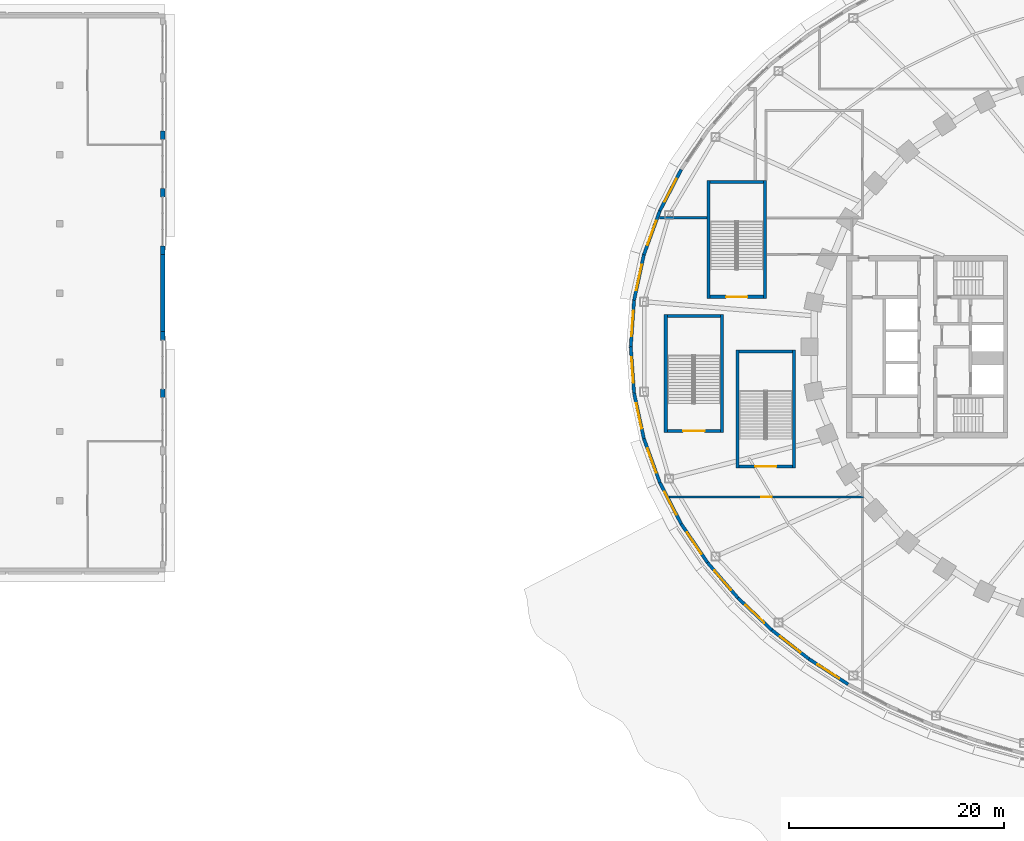
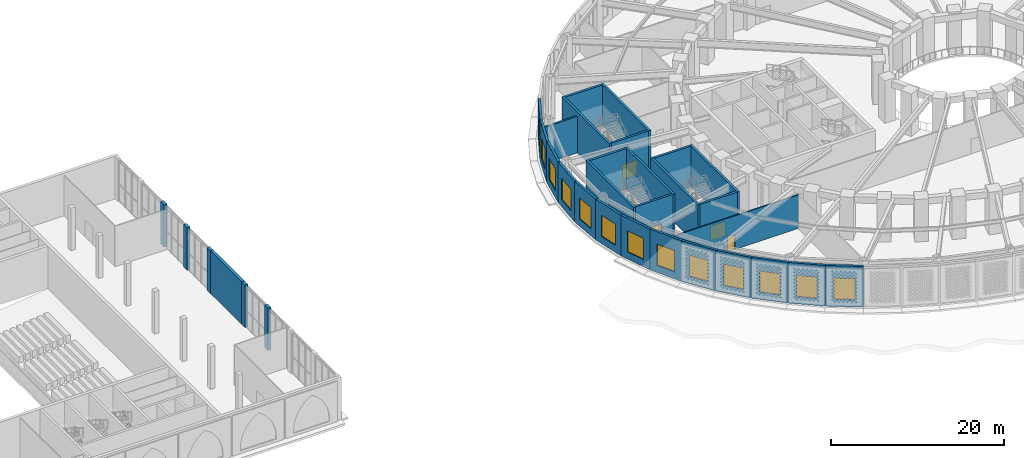
# One storey, part 19 of 74: 33 walls, 13 windows, 4 doors, 17 openings.
"""IFC4 building model written with IfcOpenShell, lengths in metres."""

from ifc_helpers import new_model, si_unit, direction, frame, frame_2d, origin, place, context, subcontext, project, spatial, rectangle, extrude, material, layer, layer_set, type_object, element, fill, save


model = new_model("IFC4")

# Units and contexts
model_context = context("Model", 3, precision=1e-05, world=origin(), true_north=direction((0.0, 1.0)))
body_context = subcontext(model_context, "Body", "Model", "MODEL_VIEW")
ifc_project = project(units=[si_unit("LENGTHUNIT", "METRE"), si_unit("AREAUNIT", "SQUARE_METRE"), si_unit("VOLUMEUNIT", "CUBIC_METRE"), si_unit("PLANEANGLEUNIT", "RADIAN"), si_unit("MASSUNIT", "GRAM", prefix="KILO")], contexts=[model_context])

# Site, building, storey
site_placement = place(None, origin())
site = spatial("IfcSite", under=ifc_project, at=site_placement, CompositionType="ELEMENT")
building_placement = place(site_placement, origin())
building = spatial("IfcBuilding", under=site, at=building_placement, Name="Noorbagh Ring Tower", CompositionType="ELEMENT")
storey_placement = place(building_placement, frame((0.0, 0.0, 7.5)))
storey = spatial("IfcBuildingStorey", under=building, at=storey_placement, Name="L01", CompositionType="ELEMENT", Elevation=7.5)

# Wall, opening, window
ifc_material_1 = material(Name="Blockwork faced with red sandstone", Category="masonry")
ifc_layer_1 = layer(ifc_material_1, 0.300048828125)
ifc_layer_set_1 = layer_set([ifc_layer_1], Name="Blockwork faced with red sandstone")
wall_type_1 = type_object("IfcWallType", Name="GND-ENV-WALL", PredefinedType="SOLIDWALL", material=ifc_layer_set_1)
wall_1_placement = place(storey_placement, frame((-46.89892578125, 16.50830078125, 0.0), z_axis=(0.0, 0.0, 1.0), x_axis=(-0.459242531468, -0.888310923771, 0.0)))
wall_1 = element("IfcWall", 1, at=wall_1_placement, inside=storey, type_object=wall_type_1, Name="Podium wall", PredefinedType="SOLIDWALL", context=body_context, shape_type="SweptSolid", body=[
    extrude(rectangle(XDim=4.344970703125, YDim=0.300048828125, at=frame_2d((2.17236328125, 0.0))), origin(), (0.0, 0.0, 1.0), 5.75),
])
opening_1_placement = place(wall_1_placement, frame((0.972412109375, 0.0, 1.0)))
opening_1 = element("IfcOpeningElement", 2, at=opening_1_placement, cuts=wall_1, Name="Opening GWN1", PredefinedType="OPENING", context=body_context, shape_type="SweptSolid", body=[
    extrude(rectangle(XDim=2.39990234375, YDim=3.0, at=frame_2d((1.199951171875, 1.5))), frame((0.0, 0.16015625, 0.0), z_axis=(0.0, -1.0, 0.0), x_axis=(1.0, 0.0, 0.0)), (0.0, 0.0, 1.0), 0.320068359375),
])
ifc_material_2 = material(Name="Aluminium and glass", Category="aluminium")
window_type = type_object("IfcWindowType", Name="GND-ENV-WINDOW", PartitioningType="SINGLE_PANEL", PredefinedType="WINDOW", material=ifc_material_2)
window_1_placement = place(opening_1_placement, origin())
window_1 = element("IfcWindow", 3, at=window_1_placement, inside=storey, type_object=window_type, Name="L01 podium window", OverallHeight=3.0, OverallWidth=2.39990234375, PartitioningType="SINGLE_PANEL", PredefinedType="WINDOW", context=body_context, shape_type="SweptSolid", body=[
    extrude(rectangle(XDim=2.39990234375, YDim=3.0, at=frame_2d((1.199951171875, 1.5))), frame((0.0, 0.030029296875, 0.0), z_axis=(0.0, -1.0, 0.0), x_axis=(1.0, 0.0, 0.0)), (0.0, 0.0, 1.0), 0.06005859375),
])
fill(opening_1, window_1)

wall_2_placement = place(storey_placement, frame((-48.894287109375, 12.648681640625, 0.0), z_axis=(0.0, 0.0, 1.0), x_axis=(-0.341286990045, -0.939959142956, 0.0)))
wall_2 = element("IfcWall", 4, at=wall_2_placement, inside=storey, type_object=wall_type_1, Name="Podium wall", PredefinedType="SOLIDWALL", context=body_context, shape_type="SweptSolid", body=[
    extrude(rectangle(XDim=4.341552734375, YDim=0.300048828125, at=frame_2d((2.1708984375, 0.0))), origin(), (0.0, 0.0, 1.0), 5.75),
])
opening_2_placement = place(wall_2_placement, frame((0.970703125, 0.0, 1.0)))
opening_2 = element("IfcOpeningElement", 5, at=opening_2_placement, cuts=wall_2, Name="Opening GWN1", PredefinedType="OPENING", context=body_context, shape_type="SweptSolid", body=[
    extrude(rectangle(XDim=2.39990234375, YDim=3.0, at=frame_2d((1.199951171875, 1.5))), frame((0.0, 0.16015625, 0.0), z_axis=(0.0, -1.0, 0.0), x_axis=(1.0, 0.0, 0.0)), (0.0, 0.0, 1.0), 0.320068359375),
])
window_2_placement = place(opening_2_placement, origin())
window_2 = element("IfcWindow", 6, at=window_2_placement, inside=storey, type_object=window_type, Name="L01 podium window", OverallHeight=3.0, OverallWidth=2.39990234375, PartitioningType="SINGLE_PANEL", PredefinedType="WINDOW", context=body_context, shape_type="SweptSolid", body=[
    extrude(rectangle(XDim=2.39990234375, YDim=3.0, at=frame_2d((1.199951171875, 1.5))), frame((0.0, 0.030029296875, 0.0), z_axis=(0.0, -1.0, 0.0), x_axis=(1.0, 0.0, 0.0)), (0.0, 0.0, 1.0), 0.06005859375),
])
fill(opening_2, window_2)

wall_3_placement = place(storey_placement, frame((-50.3759765625, 8.56787109375, 0.0), z_axis=(0.0, 0.0, 1.0), x_axis=(-0.210616468766, -0.977568771537, 0.0)))
wall_3 = element("IfcWall", 7, at=wall_3_placement, inside=storey, type_object=wall_type_1, Name="Podium wall", PredefinedType="SOLIDWALL", context=body_context, shape_type="SweptSolid", body=[
    extrude(rectangle(XDim=4.3388671875, YDim=0.300048828125, at=frame_2d((2.16943359375, 0.0))), origin(), (0.0, 0.0, 1.0), 5.75),
])
opening_3_placement = place(wall_3_placement, frame((0.969482421875, 0.0, 1.0)))
opening_3 = element("IfcOpeningElement", 8, at=opening_3_placement, cuts=wall_3, Name="Opening GWN1", PredefinedType="OPENING", context=body_context, shape_type="SweptSolid", body=[
    extrude(rectangle(XDim=2.39990234375, YDim=3.0, at=frame_2d((1.199951171875, 1.5))), frame((0.0, 0.16015625, 0.0), z_axis=(0.0, -1.0, 0.0), x_axis=(1.0, 0.0, 0.0)), (0.0, 0.0, 1.0), 0.320068359375),
])
window_3_placement = place(opening_3_placement, origin())
window_3 = element("IfcWindow", 9, at=window_3_placement, inside=storey, type_object=window_type, Name="L01 podium window", OverallHeight=3.0, OverallWidth=2.39990234375, PartitioningType="SINGLE_PANEL", PredefinedType="WINDOW", context=body_context, shape_type="SweptSolid", body=[
    extrude(rectangle(XDim=2.39990234375, YDim=3.0, at=frame_2d((1.199951171875, 1.5))), frame((0.0, 0.030029296875, 0.0), z_axis=(0.0, -1.0, 0.0), x_axis=(1.0, 0.0, 0.0)), (0.0, 0.0, 1.0), 0.06005859375),
])
fill(opening_3, window_3)

wall_4_placement = place(storey_placement, frame((-51.289794921875, 4.326416015625, 0.0), z_axis=(0.0, 0.0, 1.0), x_axis=(-0.071315050824, -0.997453840298, 0.0)))
wall_4 = element("IfcWall", 10, at=wall_4_placement, inside=storey, type_object=wall_type_1, Name="Podium wall", PredefinedType="SOLIDWALL", context=body_context, shape_type="SweptSolid", body=[
    extrude(rectangle(XDim=4.33740234375, YDim=0.300048828125, at=frame_2d((2.168701171875, 0.0))), origin(), (0.0, 0.0, 1.0), 5.75),
])
opening_4_placement = place(wall_4_placement, frame((0.96875, 0.0, 1.0)))
opening_4 = element("IfcOpeningElement", 11, at=opening_4_placement, cuts=wall_4, Name="Opening GWN1", PredefinedType="OPENING", context=body_context, shape_type="SweptSolid", body=[
    extrude(rectangle(XDim=2.39990234375, YDim=3.0, at=frame_2d((1.199951171875, 1.5))), frame((0.0, 0.16015625, 0.0), z_axis=(0.0, -1.0, 0.0), x_axis=(1.0, 0.0, 0.0)), (0.0, 0.0, 1.0), 0.320068359375),
])
window_4_placement = place(opening_4_placement, origin())
window_4 = element("IfcWindow", 12, at=window_4_placement, inside=storey, type_object=window_type, Name="L01 podium window", OverallHeight=3.0, OverallWidth=2.39990234375, PartitioningType="SINGLE_PANEL", PredefinedType="WINDOW", context=body_context, shape_type="SweptSolid", body=[
    extrude(rectangle(XDim=2.39990234375, YDim=3.0, at=frame_2d((1.199951171875, 1.5))), frame((0.0, 0.030029296875, 0.0), z_axis=(0.0, -1.0, 0.0), x_axis=(1.0, 0.0, 0.0)), (0.0, 0.0, 1.0), 0.06005859375),
])
fill(opening_4, window_4)

wall_5_placement = place(storey_placement, frame((-51.59912109375, 0.0, 0.0), z_axis=(0.0, 0.0, 1.0), x_axis=(0.071315050824, -0.997453840298, 0.0)))
wall_5 = element("IfcWall", 13, at=wall_5_placement, inside=storey, type_object=wall_type_1, Name="Podium wall", PredefinedType="SOLIDWALL", context=body_context, shape_type="SweptSolid", body=[
    extrude(rectangle(XDim=4.33740234375, YDim=0.300048828125, at=frame_2d((2.168701171875, 0.0))), origin(), (0.0, 0.0, 1.0), 5.75),
])
opening_5_placement = place(wall_5_placement, frame((0.96875, 0.0, 1.0)))
opening_5 = element("IfcOpeningElement", 14, at=opening_5_placement, cuts=wall_5, Name="Opening GWN1", PredefinedType="OPENING", context=body_context, shape_type="SweptSolid", body=[
    extrude(rectangle(XDim=2.39990234375, YDim=3.0, at=frame_2d((1.199951171875, 1.5))), frame((0.0, 0.16015625, 0.0), z_axis=(0.0, -1.0, 0.0), x_axis=(1.0, 0.0, 0.0)), (0.0, 0.0, 1.0), 0.320068359375),
])
window_5_placement = place(opening_5_placement, origin())
window_5 = element("IfcWindow", 15, at=window_5_placement, inside=storey, type_object=window_type, Name="L01 podium window", OverallHeight=3.0, OverallWidth=2.39990234375, PartitioningType="SINGLE_PANEL", PredefinedType="WINDOW", context=body_context, shape_type="SweptSolid", body=[
    extrude(rectangle(XDim=2.39990234375, YDim=3.0, at=frame_2d((1.199951171875, 1.5))), frame((0.0, 0.030029296875, 0.0), z_axis=(0.0, -1.0, 0.0), x_axis=(1.0, 0.0, 0.0)), (0.0, 0.0, 1.0), 0.06005859375),
])
fill(opening_5, window_5)

wall_6_placement = place(storey_placement, frame((-51.289794921875, -4.326416015625, 0.0), z_axis=(0.0, 0.0, 1.0), x_axis=(0.210616468766, -0.977568771537, 0.0)))
wall_6 = element("IfcWall", 16, at=wall_6_placement, inside=storey, type_object=wall_type_1, Name="Podium wall", PredefinedType="SOLIDWALL", context=body_context, shape_type="SweptSolid", body=[
    extrude(rectangle(XDim=4.3388671875, YDim=0.300048828125, at=frame_2d((2.16943359375, 0.0))), origin(), (0.0, 0.0, 1.0), 5.75),
])
opening_6_placement = place(wall_6_placement, frame((0.969482421875, 0.0, 1.0)))
opening_6 = element("IfcOpeningElement", 17, at=opening_6_placement, cuts=wall_6, Name="Opening GWN1", PredefinedType="OPENING", context=body_context, shape_type="SweptSolid", body=[
    extrude(rectangle(XDim=2.39990234375, YDim=3.0, at=frame_2d((1.199951171875, 1.5))), frame((0.0, 0.16015625, 0.0), z_axis=(0.0, -1.0, 0.0), x_axis=(1.0, 0.0, 0.0)), (0.0, 0.0, 1.0), 0.320068359375),
])
window_6_placement = place(opening_6_placement, origin())
window_6 = element("IfcWindow", 18, at=window_6_placement, inside=storey, type_object=window_type, Name="L01 podium window", OverallHeight=3.0, OverallWidth=2.39990234375, PartitioningType="SINGLE_PANEL", PredefinedType="WINDOW", context=body_context, shape_type="SweptSolid", body=[
    extrude(rectangle(XDim=2.39990234375, YDim=3.0, at=frame_2d((1.199951171875, 1.5))), frame((0.0, 0.030029296875, 0.0), z_axis=(0.0, -1.0, 0.0), x_axis=(1.0, 0.0, 0.0)), (0.0, 0.0, 1.0), 0.06005859375),
])
fill(opening_6, window_6)

wall_7_placement = place(storey_placement, frame((-50.3759765625, -8.56787109375, 0.0), z_axis=(0.0, 0.0, 1.0), x_axis=(0.341286990045, -0.939959142956, 0.0)))
wall_7 = element("IfcWall", 19, at=wall_7_placement, inside=storey, type_object=wall_type_1, Name="Podium wall", PredefinedType="SOLIDWALL", context=body_context, shape_type="SweptSolid", body=[
    extrude(rectangle(XDim=4.341552734375, YDim=0.300048828125, at=frame_2d((2.1708984375, 0.0))), origin(), (0.0, 0.0, 1.0), 5.75),
])
opening_7_placement = place(wall_7_placement, frame((0.970703125, 0.0, 1.0)))
opening_7 = element("IfcOpeningElement", 20, at=opening_7_placement, cuts=wall_7, Name="Opening GWN1", PredefinedType="OPENING", context=body_context, shape_type="SweptSolid", body=[
    extrude(rectangle(XDim=2.39990234375, YDim=3.0, at=frame_2d((1.199951171875, 1.5))), frame((0.0, 0.16015625, 0.0), z_axis=(0.0, -1.0, 0.0), x_axis=(1.0, 0.0, 0.0)), (0.0, 0.0, 1.0), 0.320068359375),
])
window_7_placement = place(opening_7_placement, origin())
window_7 = element("IfcWindow", 21, at=window_7_placement, inside=storey, type_object=window_type, Name="L01 podium window", OverallHeight=3.0, OverallWidth=2.39990234375, PartitioningType="SINGLE_PANEL", PredefinedType="WINDOW", context=body_context, shape_type="SweptSolid", body=[
    extrude(rectangle(XDim=2.39990234375, YDim=3.0, at=frame_2d((1.199951171875, 1.5))), frame((0.0, 0.030029296875, 0.0), z_axis=(0.0, -1.0, 0.0), x_axis=(1.0, 0.0, 0.0)), (0.0, 0.0, 1.0), 0.06005859375),
])
fill(opening_7, window_7)

wall_8_placement = place(storey_placement, frame((-48.894287109375, -12.648681640625, 0.0), z_axis=(0.0, 0.0, 1.0), x_axis=(0.459242531468, -0.888310923771, 0.0)))
wall_8 = element("IfcWall", 22, at=wall_8_placement, inside=storey, type_object=wall_type_1, Name="Podium wall", PredefinedType="SOLIDWALL", context=body_context, shape_type="SweptSolid", body=[
    extrude(rectangle(XDim=4.344970703125, YDim=0.300048828125, at=frame_2d((2.17236328125, 0.0))), origin(), (0.0, 0.0, 1.0), 5.75),
])
opening_8_placement = place(wall_8_placement, frame((0.972412109375, 0.0, 1.0)))
opening_8 = element("IfcOpeningElement", 23, at=opening_8_placement, cuts=wall_8, Name="Opening GWN1", PredefinedType="OPENING", context=body_context, shape_type="SweptSolid", body=[
    extrude(rectangle(XDim=2.39990234375, YDim=3.0, at=frame_2d((1.199951171875, 1.5))), frame((0.0, 0.16015625, 0.0), z_axis=(0.0, -1.0, 0.0), x_axis=(1.0, 0.0, 0.0)), (0.0, 0.0, 1.0), 0.320068359375),
])
window_8_placement = place(opening_8_placement, origin())
window_8 = element("IfcWindow", 24, at=window_8_placement, inside=storey, type_object=window_type, Name="L01 podium window", OverallHeight=3.0, OverallWidth=2.39990234375, PartitioningType="SINGLE_PANEL", PredefinedType="WINDOW", context=body_context, shape_type="SweptSolid", body=[
    extrude(rectangle(XDim=2.39990234375, YDim=3.0, at=frame_2d((1.199951171875, 1.5))), frame((0.0, 0.030029296875, 0.0), z_axis=(0.0, -1.0, 0.0), x_axis=(1.0, 0.0, 0.0)), (0.0, 0.0, 1.0), 0.06005859375),
])
fill(opening_8, window_8)

wall_9_placement = place(storey_placement, frame((-46.89892578125, -16.50830078125, 0.0), z_axis=(0.0, 0.0, 1.0), x_axis=(0.562667738859, -0.82668314102, 0.0)))
wall_9 = element("IfcWall", 25, at=wall_9_placement, inside=storey, type_object=wall_type_1, Name="Podium wall", PredefinedType="SOLIDWALL", context=body_context, shape_type="SweptSolid", body=[
    extrude(rectangle(XDim=4.348876953125, YDim=0.300048828125, at=frame_2d((2.17431640625, 0.0))), origin(), (0.0, 0.0, 1.0), 5.75),
])
opening_9_placement = place(wall_9_placement, frame((0.974365234375, 0.0, 1.0)))
opening_9 = element("IfcOpeningElement", 26, at=opening_9_placement, cuts=wall_9, Name="Opening GWN1", PredefinedType="OPENING", context=body_context, shape_type="SweptSolid", body=[
    extrude(rectangle(XDim=2.39990234375, YDim=3.0, at=frame_2d((1.199951171875, 1.5))), frame((0.0, 0.16015625, 0.0), z_axis=(0.0, -1.0, 0.0), x_axis=(1.0, 0.0, 0.0)), (0.0, 0.0, 1.0), 0.320068359375),
])
window_9_placement = place(opening_9_placement, origin())
window_9 = element("IfcWindow", 27, at=window_9_placement, inside=storey, type_object=window_type, Name="L01 podium window", OverallHeight=3.0, OverallWidth=2.39990234375, PartitioningType="SINGLE_PANEL", PredefinedType="WINDOW", context=body_context, shape_type="SweptSolid", body=[
    extrude(rectangle(XDim=2.39990234375, YDim=3.0, at=frame_2d((1.199951171875, 1.5))), frame((0.0, 0.030029296875, 0.0), z_axis=(0.0, -1.0, 0.0), x_axis=(1.0, 0.0, 0.0)), (0.0, 0.0, 1.0), 0.06005859375),
])
fill(opening_9, window_9)

wall_10_placement = place(storey_placement, frame((-44.451904296875, -20.103515625, 0.0), z_axis=(0.0, 0.0, 1.0), x_axis=(0.651387059497, -0.758745608699, 0.0)))
wall_10 = element("IfcWall", 28, at=wall_10_placement, inside=storey, type_object=wall_type_1, Name="Podium wall", PredefinedType="SOLIDWALL", context=body_context, shape_type="SweptSolid", body=[
    extrude(rectangle(XDim=4.3525390625, YDim=0.300048828125, at=frame_2d((2.17626953125, 0.0))), origin(), (0.0, 0.0, 1.0), 5.75),
])
opening_10_placement = place(wall_10_placement, frame((0.976318359375, 0.0, 1.0)))
opening_10 = element("IfcOpeningElement", 29, at=opening_10_placement, cuts=wall_10, Name="Opening GWN1", PredefinedType="OPENING", context=body_context, shape_type="SweptSolid", body=[
    extrude(rectangle(XDim=2.39990234375, YDim=3.0, at=frame_2d((1.199951171875, 1.5))), frame((0.0, 0.16015625, 0.0), z_axis=(0.0, -1.0, 0.0), x_axis=(1.0, 0.0, 0.0)), (0.0, 0.0, 1.0), 0.320068359375),
])
window_10_placement = place(opening_10_placement, origin())
window_10 = element("IfcWindow", 30, at=window_10_placement, inside=storey, type_object=window_type, Name="L01 podium window", OverallHeight=3.0, OverallWidth=2.39990234375, PartitioningType="SINGLE_PANEL", PredefinedType="WINDOW", context=body_context, shape_type="SweptSolid", body=[
    extrude(rectangle(XDim=2.39990234375, YDim=3.0, at=frame_2d((1.199951171875, 1.5))), frame((0.0, 0.030029296875, 0.0), z_axis=(0.0, -1.0, 0.0), x_axis=(1.0, 0.0, 0.0)), (0.0, 0.0, 1.0), 0.06005859375),
])
fill(opening_10, window_10)

wall_11_placement = place(storey_placement, frame((-41.61669921875, -23.406005859375, 0.0), z_axis=(0.0, 0.0, 1.0), x_axis=(0.72620446032, -0.687478786444, 0.0)))
wall_11 = element("IfcWall", 31, at=wall_11_placement, inside=storey, type_object=wall_type_1, Name="Podium wall", PredefinedType="SOLIDWALL", context=body_context, shape_type="SweptSolid", body=[
    extrude(rectangle(XDim=4.356201171875, YDim=0.300048828125, at=frame_2d((2.17822265625, 0.0))), origin(), (0.0, 0.0, 1.0), 5.75),
])
opening_11_placement = place(wall_11_placement, frame((0.97802734375, 0.0, 1.0)))
opening_11 = element("IfcOpeningElement", 32, at=opening_11_placement, cuts=wall_11, Name="Opening GWN1", PredefinedType="OPENING", context=body_context, shape_type="SweptSolid", body=[
    extrude(rectangle(XDim=2.39990234375, YDim=3.0, at=frame_2d((1.199951171875, 1.5))), frame((0.0, 0.16015625, 0.0), z_axis=(0.0, -1.0, 0.0), x_axis=(1.0, 0.0, 0.0)), (0.0, 0.0, 1.0), 0.320068359375),
])
window_11_placement = place(opening_11_placement, origin())
window_11 = element("IfcWindow", 33, at=window_11_placement, inside=storey, type_object=window_type, Name="L01 podium window", OverallHeight=3.0, OverallWidth=2.39990234375, PartitioningType="SINGLE_PANEL", PredefinedType="WINDOW", context=body_context, shape_type="SweptSolid", body=[
    extrude(rectangle(XDim=2.39990234375, YDim=3.0, at=frame_2d((1.199951171875, 1.5))), frame((0.0, 0.030029296875, 0.0), z_axis=(0.0, -1.0, 0.0), x_axis=(1.0, 0.0, 0.0)), (0.0, 0.0, 1.0), 0.06005859375),
])
fill(opening_11, window_11)

wall_12_placement = place(storey_placement, frame((-38.453125, -26.40087890625, 0.0), z_axis=(0.0, 0.0, 1.0), x_axis=(0.788491985196, -0.615045030288, 0.0)))
wall_12 = element("IfcWall", 34, at=wall_12_placement, inside=storey, type_object=wall_type_1, Name="Podium wall", PredefinedType="SOLIDWALL", context=body_context, shape_type="SweptSolid", body=[
    extrude(rectangle(XDim=4.359375, YDim=0.300048828125, at=frame_2d((2.1796875, 0.0))), origin(), (0.0, 0.0, 1.0), 5.75),
])
opening_12_placement = place(wall_12_placement, frame((0.979736328125, 0.0, 1.0)))
opening_12 = element("IfcOpeningElement", 35, at=opening_12_placement, cuts=wall_12, Name="Opening GWN1", PredefinedType="OPENING", context=body_context, shape_type="SweptSolid", body=[
    extrude(rectangle(XDim=2.39990234375, YDim=3.0, at=frame_2d((1.199951171875, 1.5))), frame((0.0, 0.16015625, 0.0), z_axis=(0.0, -1.0, 0.0), x_axis=(1.0, 0.0, 0.0)), (0.0, 0.0, 1.0), 0.320068359375),
])
window_12_placement = place(opening_12_placement, origin())
window_12 = element("IfcWindow", 36, at=window_12_placement, inside=storey, type_object=window_type, Name="L01 podium window", OverallHeight=3.0, OverallWidth=2.39990234375, PartitioningType="SINGLE_PANEL", PredefinedType="WINDOW", context=body_context, shape_type="SweptSolid", body=[
    extrude(rectangle(XDim=2.39990234375, YDim=3.0, at=frame_2d((1.199951171875, 1.5))), frame((0.0, 0.030029296875, 0.0), z_axis=(0.0, -1.0, 0.0), x_axis=(1.0, 0.0, 0.0)), (0.0, 0.0, 1.0), 0.06005859375),
])
fill(opening_12, window_12)

wall_13_placement = place(storey_placement, frame((-35.015869140625, -29.08203125, 0.0), z_axis=(0.0, 0.0, 1.0), x_axis=(0.840047348843, -0.542513088969, 0.0)))
wall_13 = element("IfcWall", 37, at=wall_13_placement, inside=storey, type_object=wall_type_1, Name="Podium wall", PredefinedType="SOLIDWALL", context=body_context, shape_type="SweptSolid", body=[
    extrude(rectangle(XDim=4.362060546875, YDim=0.300048828125, at=frame_2d((2.18115234375, 0.0))), origin(), (0.0, 0.0, 1.0), 5.75),
])
opening_13_placement = place(wall_13_placement, frame((0.98095703125, 0.0, 1.0)))
opening_13 = element("IfcOpeningElement", 38, at=opening_13_placement, cuts=wall_13, Name="Opening GWN1", PredefinedType="OPENING", context=body_context, shape_type="SweptSolid", body=[
    extrude(rectangle(XDim=2.39990234375, YDim=3.0, at=frame_2d((1.199951171875, 1.5))), frame((0.0, 0.16015625, 0.0), z_axis=(0.0, -1.0, 0.0), x_axis=(1.0, 0.0, 0.0)), (0.0, 0.0, 1.0), 0.320068359375),
])
window_13_placement = place(opening_13_placement, origin())
window_13 = element("IfcWindow", 39, at=window_13_placement, inside=storey, type_object=window_type, Name="L01 podium window", OverallHeight=3.0, OverallWidth=2.39990234375, PartitioningType="SINGLE_PANEL", PredefinedType="WINDOW", context=body_context, shape_type="SweptSolid", body=[
    extrude(rectangle(XDim=2.39990234375, YDim=3.0, at=frame_2d((1.199951171875, 1.5))), frame((0.0, 0.030029296875, 0.0), z_axis=(0.0, -1.0, 0.0), x_axis=(1.0, 0.0, 0.0)), (0.0, 0.0, 1.0), 0.06005859375),
])
fill(opening_13, window_13)

# Wall, opening, door
ifc_material_3 = material(Name="Gypsum board on steel studs", Category="steel")
ifc_layer_2 = layer(ifc_material_3, 0.14990234375)
ifc_layer_set_2 = layer_set([ifc_layer_2], Name="Gypsum board on steel studs")
wall_type_2 = type_object("IfcWallType", Name="GND-PART-150", PredefinedType="PARTITIONING", material=ifc_layer_set_2)
wall_14_placement = place(storey_placement, frame((-47.996826171875, -14.0, 0.0), z_axis=(0.0, 0.0, 1.0), x_axis=(1.0, 0.0, 0.0)))
wall_14 = element("IfcWall", 40, at=wall_14_placement, inside=storey, type_object=wall_type_2, Name="L01/wall/P017", PredefinedType="PARTITIONING", context=body_context, shape_type="SweptSolid", body=[
    extrude(rectangle(XDim=18.07177734375, YDim=0.14990234375, at=frame_2d((9.035888671875, 0.0))), origin(), (0.0, 0.0, 1.0), 4.75),
])
opening_14_placement = place(wall_14_placement, frame((8.535888671875, 0.0, 0.0)))
opening_14 = element("IfcOpeningElement", 41, at=opening_14_placement, cuts=wall_14, Name="Opening GD6", PredefinedType="OPENING", context=body_context, shape_type="SweptSolid", body=[
    extrude(rectangle(XDim=1.0, YDim=2.10009765625, at=frame_2d((0.5, 1.050048828125))), frame((0.0, 0.0849609375, 0.0), z_axis=(0.0, -1.0, 0.0), x_axis=(1.0, 0.0, 0.0)), (0.0, 0.0, 1.0), 0.169921875),
])
ifc_material_4 = material(Name="Timber", Category="wood")
door_type_1 = type_object("IfcDoorType", Name="GND-DOOR-HALL", OperationType="SINGLE_SWING_LEFT", PredefinedType="DOOR", material=ifc_material_4)
door_1_placement = place(opening_14_placement, origin())
door_1 = element("IfcDoor", 42, at=door_1_placement, inside=storey, type_object=door_type_1, Name="Staff lockers door", OperationType="SINGLE_SWING_RIGHT", OverallHeight=2.10009765625, OverallWidth=1.0, PredefinedType="DOOR", context=body_context, shape_type="SweptSolid", body=[
    extrude(rectangle(XDim=1.0, YDim=2.10009765625, at=frame_2d((0.5, 1.050048828125))), frame((0.0, 0.02490234375, 0.0), z_axis=(0.0, -1.0, 0.0), x_axis=(1.0, 0.0, 0.0)), (0.0, 0.0, 1.0), 0.050048828125),
])
fill(opening_14, door_1)

# Walls
ifc_material_5 = material(Name="Reinforced blockwork", Category="masonry")
ifc_layer_3 = layer(ifc_material_5, 0.25)
ifc_layer_set_3 = layer_set([ifc_layer_3], Name="Reinforced blockwork")
wall_type_3 = type_object("IfcWallType", Name="GND-PART-250", PredefinedType="PARTITIONING", material=ifc_layer_set_3)
wall_15_placement = place(storey_placement, frame((-44.5, 12.0, 0.0), z_axis=(0.0, 0.0, 1.0), x_axis=(-1.0, 0.0, 0.0)))
element("IfcWall", 43, at=wall_15_placement, inside=storey, type_object=wall_type_3, Name="L01/wall/P018", PredefinedType="PARTITIONING", context=body_context, shape_type="SweptSolid", body=[
    extrude(rectangle(XDim=4.430419921875, YDim=0.25, at=frame_2d((2.21533203125, 0.0))), origin(), (0.0, 0.0, 1.0), 5.14990234375),
])
ifc_material_6 = material(Name="Concrete C60/75", Category="concrete")
ifc_layer_4 = layer(ifc_material_6, 0.300048828125)
ifc_layer_set_4 = layer_set([ifc_layer_4], Name="Concrete C60/75")
wall_type_4 = type_object("IfcWallType", Name="GND-STAIR-WALL", PredefinedType="SHEAR", material=ifc_layer_set_4)
for number, where, z_axis, x_axis, name in (
    (44, (-41.64990234375, -11.300048828125, 0.0), (0.0, 0.0, 1.0), (0.0, 1.0, 0.0), "Exit stair ST-P1 wall"),
    (45, (-36.39990234375, -11.300048828125, 0.0), (0.0, 0.0, 1.0), (0.0, 1.0, 0.0), "Exit stair ST-P1 wall"),
):
    element("IfcWall", number, at=place(storey_placement, frame(where, z_axis=z_axis, x_axis=x_axis)), inside=storey, type_object=wall_type_4, Name=name, PredefinedType="SHEAR", context=body_context, shape_type="SweptSolid", body=[
        extrude(rectangle(XDim=11.0, YDim=0.300048828125, at=frame_2d((5.5, 0.0))), origin(), (0.0, 0.0, 1.0), 5.75),
    ])

# Wall, opening, door
wall_16_placement = place(storey_placement, frame((-41.5, -11.14990234375, 0.0), z_axis=(0.0, 0.0, 1.0), x_axis=(1.0, 0.0, 0.0)))
wall_16 = element("IfcWall", 46, at=wall_16_placement, inside=storey, type_object=wall_type_4, Name="Exit stair ST-P1 wall", PredefinedType="SHEAR", context=body_context, shape_type="SweptSolid", body=[
    extrude(rectangle(XDim=4.949951171875, YDim=0.300048828125, at=frame_2d((2.47509765625, 0.0))), origin(), (0.0, 0.0, 1.0), 5.75),
])
opening_15_placement = place(wall_16_placement, frame((1.47509765625, 0.0, 0.0)))
opening_15 = element("IfcOpeningElement", 47, at=opening_15_placement, cuts=wall_16, Name="Opening GD17", PredefinedType="OPENING", context=body_context, shape_type="SweptSolid", body=[
    extrude(rectangle(XDim=2.0, YDim=2.10009765625, at=frame_2d((1.0, 1.050048828125))), frame((0.0, 0.16015625, 0.0), z_axis=(0.0, -1.0, 0.0), x_axis=(1.0, 0.0, 0.0)), (0.0, 0.0, 1.0), 0.320068359375),
])
ifc_material_7 = material(Name="Steel", Category="steel")
door_type_2 = type_object("IfcDoorType", Name="GND-STAIR-DOOR", OperationType="DOUBLE_DOOR_SINGLE_SWING", PredefinedType="DOOR", material=ifc_material_7)
door_2_placement = place(opening_15_placement, origin())
door_2 = element("IfcDoor", 48, at=door_2_placement, inside=storey, type_object=door_type_2, Name="Exit stair ST-P1 door", OperationType="DOUBLE_DOOR_SINGLE_SWING", OverallHeight=2.10009765625, OverallWidth=2.0, PredefinedType="DOOR", context=body_context, shape_type="SweptSolid", body=[
    extrude(rectangle(XDim=2.0, YDim=2.10009765625, at=frame_2d((1.0, 1.050048828125))), frame((0.0, 0.02490234375, 0.0), z_axis=(0.0, -1.0, 0.0), x_axis=(1.0, 0.0, 0.0)), (0.0, 0.0, 1.0), 0.050048828125),
])
fill(opening_15, door_2)

# Walls
wall_17_placement = place(storey_placement, frame((-41.5, -0.449951171875, 0.0), z_axis=(0.0, 0.0, 1.0), x_axis=(1.0, 0.0, 0.0)))
element("IfcWall", 49, at=wall_17_placement, inside=storey, type_object=wall_type_4, Name="Exit stair ST-P1 wall", PredefinedType="SHEAR", context=body_context, shape_type="SweptSolid", body=[
    extrude(rectangle(XDim=4.949951171875, YDim=0.300048828125, at=frame_2d((2.47509765625, 0.0))), origin(), (0.0, 0.0, 1.0), 5.75),
])
for number, where, z_axis, x_axis, name in (
    (50, (-48.35009765625, -8.0, 0.0), (0.0, 0.0, 1.0), (0.0, 1.0, 0.0), "Exit stair ST-P3 wall"),
    (51, (-43.10009765625, -8.0, 0.0), (0.0, 0.0, 1.0), (0.0, 1.0, 0.0), "Exit stair ST-P3 wall"),
):
    element("IfcWall", number, at=place(storey_placement, frame(where, z_axis=z_axis, x_axis=x_axis)), inside=storey, type_object=wall_type_4, Name=name, PredefinedType="SHEAR", context=body_context, shape_type="SweptSolid", body=[
        extrude(rectangle(XDim=11.0, YDim=0.300048828125, at=frame_2d((5.5, 0.0))), origin(), (0.0, 0.0, 1.0), 5.75),
    ])

# Wall, opening, door
wall_18_placement = place(storey_placement, frame((-48.199951171875, -7.85009765625, 0.0), z_axis=(0.0, 0.0, 1.0), x_axis=(1.0, 0.0, 0.0)))
wall_18 = element("IfcWall", 52, at=wall_18_placement, inside=storey, type_object=wall_type_4, Name="Exit stair ST-P3 wall", PredefinedType="SHEAR", context=body_context, shape_type="SweptSolid", body=[
    extrude(rectangle(XDim=4.949951171875, YDim=0.300048828125, at=frame_2d((2.47509765625, 0.0))), origin(), (0.0, 0.0, 1.0), 5.75),
])
opening_16_placement = place(wall_18_placement, frame((1.47509765625, 0.0, 0.0)))
opening_16 = element("IfcOpeningElement", 53, at=opening_16_placement, cuts=wall_18, Name="Opening GD17", PredefinedType="OPENING", context=body_context, shape_type="SweptSolid", body=[
    extrude(rectangle(XDim=2.0, YDim=2.10009765625, at=frame_2d((1.0, 1.050048828125))), frame((0.0, 0.16015625, 0.0), z_axis=(0.0, -1.0, 0.0), x_axis=(1.0, 0.0, 0.0)), (0.0, 0.0, 1.0), 0.320068359375),
])
door_3_placement = place(opening_16_placement, origin())
door_3 = element("IfcDoor", 54, at=door_3_placement, inside=storey, type_object=door_type_2, Name="Exit stair ST-P3 door", OperationType="DOUBLE_DOOR_SINGLE_SWING", OverallHeight=2.10009765625, OverallWidth=2.0, PredefinedType="DOOR", context=body_context, shape_type="SweptSolid", body=[
    extrude(rectangle(XDim=2.0, YDim=2.10009765625, at=frame_2d((1.0, 1.050048828125))), frame((0.0, 0.02490234375, 0.0), z_axis=(0.0, -1.0, 0.0), x_axis=(1.0, 0.0, 0.0)), (0.0, 0.0, 1.0), 0.050048828125),
])
fill(opening_16, door_3)

# Walls
wall_19_placement = place(storey_placement, frame((-48.199951171875, 2.85009765625, 0.0), z_axis=(0.0, 0.0, 1.0), x_axis=(1.0, 0.0, 0.0)))
element("IfcWall", 55, at=wall_19_placement, inside=storey, type_object=wall_type_4, Name="Exit stair ST-P3 wall", PredefinedType="SHEAR", context=body_context, shape_type="SweptSolid", body=[
    extrude(rectangle(XDim=4.949951171875, YDim=0.300048828125, at=frame_2d((2.47509765625, 0.0))), origin(), (0.0, 0.0, 1.0), 5.75),
])
for number, where, z_axis, x_axis, name in (
    (56, (-44.35009765625, 4.5, 0.0), (0.0, 0.0, 1.0), (0.0, 1.0, 0.0), "Exit stair ST-P7 wall"),
    (57, (-39.10009765625, 4.5, 0.0), (0.0, 0.0, 1.0), (0.0, 1.0, 0.0), "Exit stair ST-P7 wall"),
):
    element("IfcWall", number, at=place(storey_placement, frame(where, z_axis=z_axis, x_axis=x_axis)), inside=storey, type_object=wall_type_4, Name=name, PredefinedType="SHEAR", context=body_context, shape_type="SweptSolid", body=[
        extrude(rectangle(XDim=11.0, YDim=0.300048828125, at=frame_2d((5.5, 0.0))), origin(), (0.0, 0.0, 1.0), 5.75),
    ])

# Wall, opening, door
wall_20_placement = place(storey_placement, frame((-44.199951171875, 4.64990234375, 0.0), z_axis=(0.0, 0.0, 1.0), x_axis=(1.0, 0.0, 0.0)))
wall_20 = element("IfcWall", 58, at=wall_20_placement, inside=storey, type_object=wall_type_4, Name="Exit stair ST-P7 wall", PredefinedType="SHEAR", context=body_context, shape_type="SweptSolid", body=[
    extrude(rectangle(XDim=4.949951171875, YDim=0.300048828125, at=frame_2d((2.47509765625, 0.0))), origin(), (0.0, 0.0, 1.0), 5.75),
])
opening_17_placement = place(wall_20_placement, frame((1.47509765625, 0.0, 0.0)))
opening_17 = element("IfcOpeningElement", 59, at=opening_17_placement, cuts=wall_20, Name="Opening GD17", PredefinedType="OPENING", context=body_context, shape_type="SweptSolid", body=[
    extrude(rectangle(XDim=2.0, YDim=2.10009765625, at=frame_2d((1.0, 1.050048828125))), frame((0.0, 0.16015625, 0.0), z_axis=(0.0, -1.0, 0.0), x_axis=(1.0, 0.0, 0.0)), (0.0, 0.0, 1.0), 0.320068359375),
])
door_4_placement = place(opening_17_placement, origin())
door_4 = element("IfcDoor", 60, at=door_4_placement, inside=storey, type_object=door_type_2, Name="Exit stair ST-P7 door", OperationType="DOUBLE_DOOR_SINGLE_SWING", OverallHeight=2.10009765625, OverallWidth=2.0, PredefinedType="DOOR", context=body_context, shape_type="SweptSolid", body=[
    extrude(rectangle(XDim=2.0, YDim=2.10009765625, at=frame_2d((1.0, 1.050048828125))), frame((0.0, 0.02490234375, 0.0), z_axis=(0.0, -1.0, 0.0), x_axis=(1.0, 0.0, 0.0)), (0.0, 0.0, 1.0), 0.050048828125),
])
fill(opening_17, door_4)

# Walls
wall_21_placement = place(storey_placement, frame((-44.199951171875, 15.35009765625, 0.0), z_axis=(0.0, 0.0, 1.0), x_axis=(1.0, 0.0, 0.0)))
element("IfcWall", 61, at=wall_21_placement, inside=storey, type_object=wall_type_4, Name="Exit stair ST-P7 wall", PredefinedType="SHEAR", context=body_context, shape_type="SweptSolid", body=[
    extrude(rectangle(XDim=4.949951171875, YDim=0.300048828125, at=frame_2d((2.47509765625, 0.0))), origin(), (0.0, 0.0, 1.0), 5.75),
])
ifc_material_8 = material(Name="Concrete C40/50", Category="concrete")
ifc_layer_5 = layer(ifc_material_8, 0.39990234375)
ifc_layer_set_5 = layer_set([ifc_layer_5], Name="Concrete C40/50")
wall_type_5 = type_object("IfcWallType", Name="TH-WALL-OUTER", PredefinedType="SOLIDWALL", material=ifc_layer_set_5)
wall_22_placement = place(storey_placement, frame((-95.199951171875, -4.75, 0.0), z_axis=(0.0, 0.0, 1.0), x_axis=(0.0, 1.0, 0.0)))
element("IfcWall", 62, at=wall_22_placement, inside=storey, type_object=wall_type_5, Name="Foyer pier", PredefinedType="SOLIDWALL", context=body_context, shape_type="SweptSolid", body=[
    extrude(rectangle(XDim=0.800048828125, YDim=0.39990234375, at=frame_2d((0.39990234375, 0.0))), origin(), (0.0, 0.0, 1.0), 6.0),
])
wall_23_placement = place(storey_placement, frame((-95.199951171875, 0.60009765625, 0.0), z_axis=(0.0, 0.0, 1.0), x_axis=(0.0, 1.0, 0.0)))
element("IfcWall", 63, at=wall_23_placement, inside=storey, type_object=wall_type_5, Name="Foyer pier", PredefinedType="SOLIDWALL", context=body_context, shape_type="SweptSolid", body=[
    extrude(rectangle(XDim=0.7998046875, YDim=0.39990234375, at=frame_2d((0.39990234375, 0.0))), origin(), (0.0, 0.0, 1.0), 6.0),
])
wall_24_placement = place(storey_placement, frame((-95.199951171875, 1.39990234375, 0.0), z_axis=(0.0, 0.0, 1.0), x_axis=(0.0, 1.0, 0.0)))
element("IfcWall", 64, at=wall_24_placement, inside=storey, type_object=wall_type_5, Name="Foyer entrance wall", PredefinedType="SOLIDWALL", context=body_context, shape_type="SweptSolid", body=[
    extrude(rectangle(XDim=7.2001953125, YDim=0.39990234375, at=frame_2d((3.60009765625, 0.0))), origin(), (0.0, 0.0, 1.0), 6.0),
])
wall_25_placement = place(storey_placement, frame((-95.199951171875, 8.60009765625, 0.0), z_axis=(0.0, 0.0, 1.0), x_axis=(0.0, 1.0, 0.0)))
element("IfcWall", 65, at=wall_25_placement, inside=storey, type_object=wall_type_5, Name="Foyer pier", PredefinedType="SOLIDWALL", context=body_context, shape_type="SweptSolid", body=[
    extrude(rectangle(XDim=0.7998046875, YDim=0.39990234375, at=frame_2d((0.39990234375, 0.0))), origin(), (0.0, 0.0, 1.0), 6.0),
])
for number, where, z_axis, x_axis, name in (
    (66, (-95.199951171875, 13.949951171875, 0.0), (0.0, 0.0, 1.0), (0.0, 1.0, 0.0), "Foyer pier"),
    (67, (-95.199951171875, 19.300048828125, 0.0), (0.0, 0.0, 1.0), (0.0, 1.0, 0.0), "Foyer pier"),
):
    element("IfcWall", number, at=place(storey_placement, frame(where, z_axis=z_axis, x_axis=x_axis)), inside=storey, type_object=wall_type_5, Name=name, PredefinedType="SOLIDWALL", context=body_context, shape_type="SweptSolid", body=[
        extrude(rectangle(XDim=0.800048828125, YDim=0.39990234375, at=frame_2d((0.39990234375, 0.0))), origin(), (0.0, 0.0, 1.0), 6.0),
    ])

save(model, "model.ifc")
